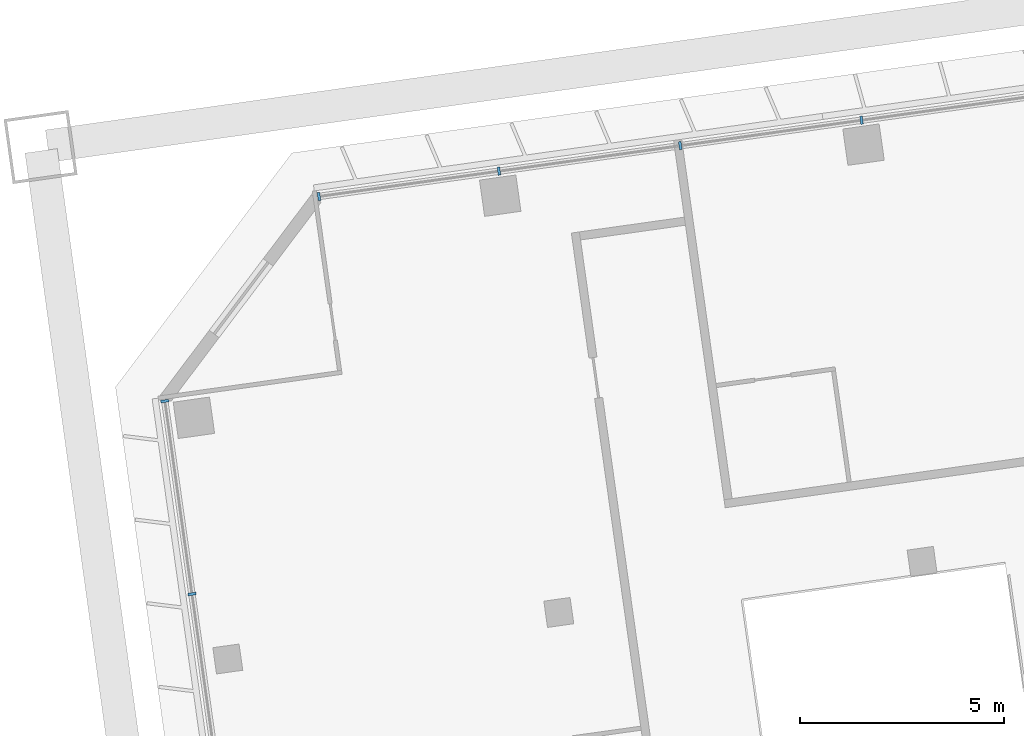
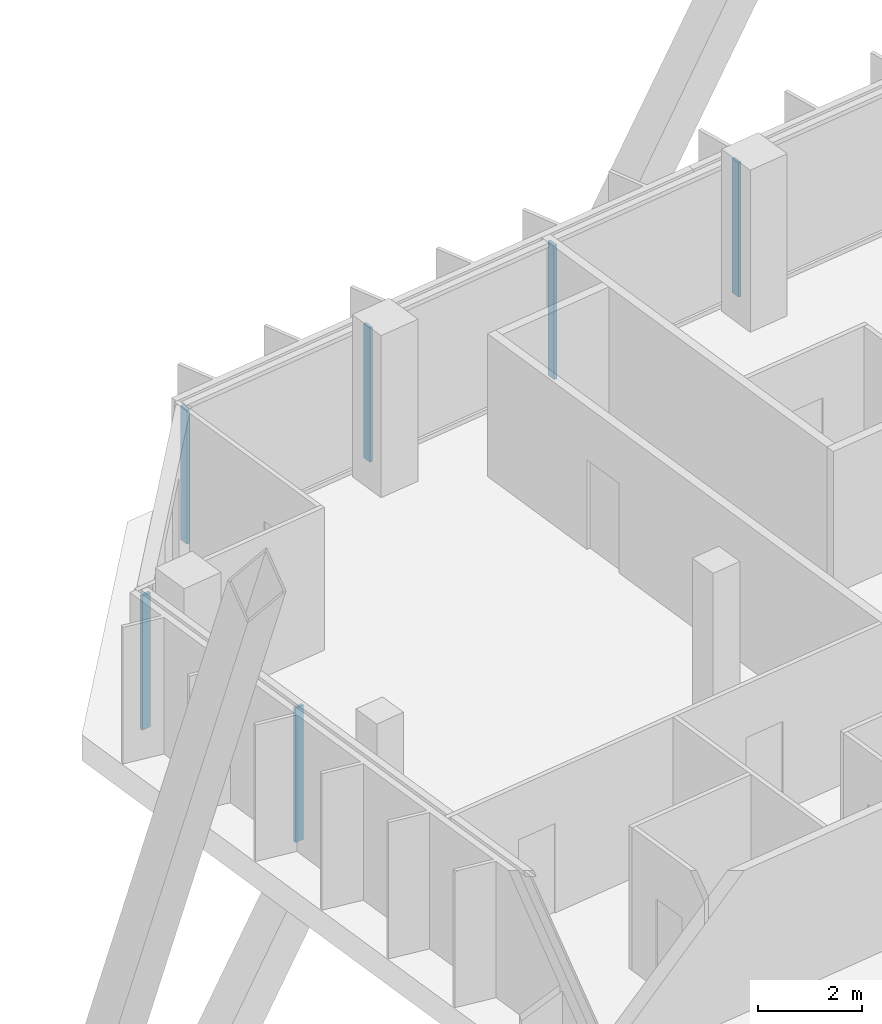
# One storey, part 21 of 41: 6 members, 2 elements without a shape of their own.
"""IFC4 building model written with IfcOpenShell, lengths in metres."""

from ifc_helpers import new_model, si_unit, direction, frame, origin, origin_2d, place, context, subcontext, project, spatial, rectangle, extrude, material, material_profile, profile_set, type_object, element, aggregate, save


model = new_model("IFC4")

# Units and contexts
model_context = context("Model", 3, precision=1e-05, world=origin(), true_north=direction((0.0, 1.0)))
body_context = subcontext(model_context, "Body", "Model", "MODEL_VIEW")
ifc_project = project(units=[si_unit("LENGTHUNIT", "METRE"), si_unit("AREAUNIT", "SQUARE_METRE"), si_unit("VOLUMEUNIT", "CUBIC_METRE"), si_unit("PLANEANGLEUNIT", "RADIAN"), si_unit("MASSUNIT", "GRAM", prefix="KILO")], contexts=[model_context])

# Site, building, storey
site_placement = place(None, origin())
site = spatial("IfcSite", under=ifc_project, at=site_placement, CompositionType="ELEMENT")
building_placement = place(site_placement, origin())
building = spatial("IfcBuilding", under=site, at=building_placement, Name="Mirante Cascada Hotel Towers", CompositionType="ELEMENT")
storey_placement = place(building_placement, frame((0.0, 0.0, 125.3)))
storey = spatial("IfcBuildingStorey", under=building, at=storey_placement, Name="L28", CompositionType="ELEMENT", Elevation=125.3)

# Curtain wall, members
ifc_material_1 = material(Name="Aluminium mullion and transom frame with clear laminated glass", Category="aluminium")
curtain_wall_type_1 = type_object("IfcCurtainWallType", Name="Ribbon curtain wall ECW1", PredefinedType="NOTDEFINED", material=ifc_material_1)
curtain_wall_1_placement = place(storey_placement, origin())
curtain_wall_1 = element("IfcCurtainWall", 1, at=curtain_wall_1_placement, inside=storey, type_object=curtain_wall_type_1, Name="Front ribbon wall T2 L28", PredefinedType="NOTDEFINED")
ifc_material_2 = material(Name="Anodised aluminium extrusion", Category="aluminium")
ifc_material_profile_1 = material_profile(ifc_material_2, rectangle(XDim=0.2, YDim=0.065, at=origin_2d()), Name="ECW1 MULLION 65x200")
ifc_profile_set_1 = profile_set([ifc_material_profile_1], Name="Anodised aluminium extrusion")
member_type_1 = type_object("IfcMemberType", Name="ECW1 mullion 65x200", PredefinedType="MULLION", material=ifc_profile_set_1)
member_1_placement = place(storey_placement, frame((45.2366, 19.1766, 0.1), z_axis=(0.0, 0.0, 1.0), x_axis=(0.1391731, -0.9902681, 0.0)))
member_1 = element("IfcMember", 2, at=member_1_placement, type_object=member_type_1, Name="ECW1 mullion 12", PredefinedType="MULLION", context=body_context, shape_type="SweptSolid", body=[
    extrude(rectangle(XDim=0.2, YDim=0.065, at=origin_2d()), origin(), (0.0, 0.0, 1.0), 3.15),
])
member_2_placement = place(storey_placement, frame((40.7892, 18.5516, 0.1), z_axis=(0.0, 0.0, 1.0), x_axis=(0.1391731, -0.9902681, 0.0)))
member_2 = element("IfcMember", 3, at=member_2_placement, type_object=member_type_1, Name="ECW1 mullion 13", PredefinedType="MULLION", context=body_context, shape_type="SweptSolid", body=[
    extrude(rectangle(XDim=0.2, YDim=0.065, at=origin_2d()), origin(), (0.0, 0.0, 1.0), 3.15),
])
member_3_placement = place(storey_placement, frame((36.3417, 17.9265, 0.1), z_axis=(0.0, 0.0, 1.0), x_axis=(0.1391731, -0.9902681, 0.0)))
member_3 = element("IfcMember", 4, at=member_3_placement, type_object=member_type_1, Name="ECW1 mullion 14", PredefinedType="MULLION", context=body_context, shape_type="SweptSolid", body=[
    extrude(rectangle(XDim=0.2, YDim=0.065, at=origin_2d()), origin(), (0.0, 0.0, 1.0), 3.15),
])
member_4_placement = place(storey_placement, frame((31.9265, 17.306, 0.1), z_axis=(0.0, 0.0, 1.0), x_axis=(0.1391731, -0.9902681, 0.0)))
member_4 = element("IfcMember", 5, at=member_4_placement, type_object=member_type_1, Name="ECW1 mullion 15", PredefinedType="MULLION", context=body_context, shape_type="SweptSolid", body=[
    extrude(rectangle(XDim=0.2, YDim=0.065, at=origin_2d()), origin(), (0.0, 0.0, 1.0), 3.15),
])
aggregate(curtain_wall_1, [member_1, member_2, member_3, member_4])

ifc_material_3 = material(Name="Aluminium mullion and transom frame with clear laminated glass", Category="aluminium")
curtain_wall_type_2 = type_object("IfcCurtainWallType", Name="End ribbon curtain wall ECW2", PredefinedType="NOTDEFINED", material=ifc_material_3)
curtain_wall_2_placement = place(storey_placement, origin())
curtain_wall_2 = element("IfcCurtainWall", 6, at=curtain_wall_2_placement, inside=storey, type_object=curtain_wall_type_2, Name="Inner end wall T2 L28", PredefinedType="NOTDEFINED")
ifc_material_4 = material(Name="Anodised aluminium extrusion", Category="aluminium")
ifc_material_profile_2 = material_profile(ifc_material_4, rectangle(XDim=0.2, YDim=0.065, at=origin_2d()), Name="ECW2 MULLION 65x200")
ifc_profile_set_2 = profile_set([ifc_material_profile_2], Name="Anodised aluminium extrusion")
member_type_2 = type_object("IfcMemberType", Name="ECW2 mullion 65x200", PredefinedType="MULLION", material=ifc_profile_set_2)
member_5_placement = place(storey_placement, frame((28.1437, 12.2861, 0.1), z_axis=(0.0, 0.0, 1.0), x_axis=(0.9902681, 0.1391731, 0.0)))
member_5 = element("IfcMember", 7, at=member_5_placement, type_object=member_type_2, Name="ECW2 mullion 1", PredefinedType="MULLION", context=body_context, shape_type="SweptSolid", body=[
    extrude(rectangle(XDim=0.2, YDim=0.065, at=origin_2d()), origin(), (0.0, 0.0, 1.0), 3.15),
])
member_6_placement = place(storey_placement, frame((28.809, 7.5524, 0.1), z_axis=(0.0, 0.0, 1.0), x_axis=(0.9902681, 0.1391731, 0.0)))
member_6 = element("IfcMember", 8, at=member_6_placement, type_object=member_type_2, Name="ECW2 mullion 2", PredefinedType="MULLION", context=body_context, shape_type="SweptSolid", body=[
    extrude(rectangle(XDim=0.2, YDim=0.065, at=origin_2d()), origin(), (0.0, 0.0, 1.0), 3.15),
])
aggregate(curtain_wall_2, [member_5, member_6])

save(model, "model.ifc")
